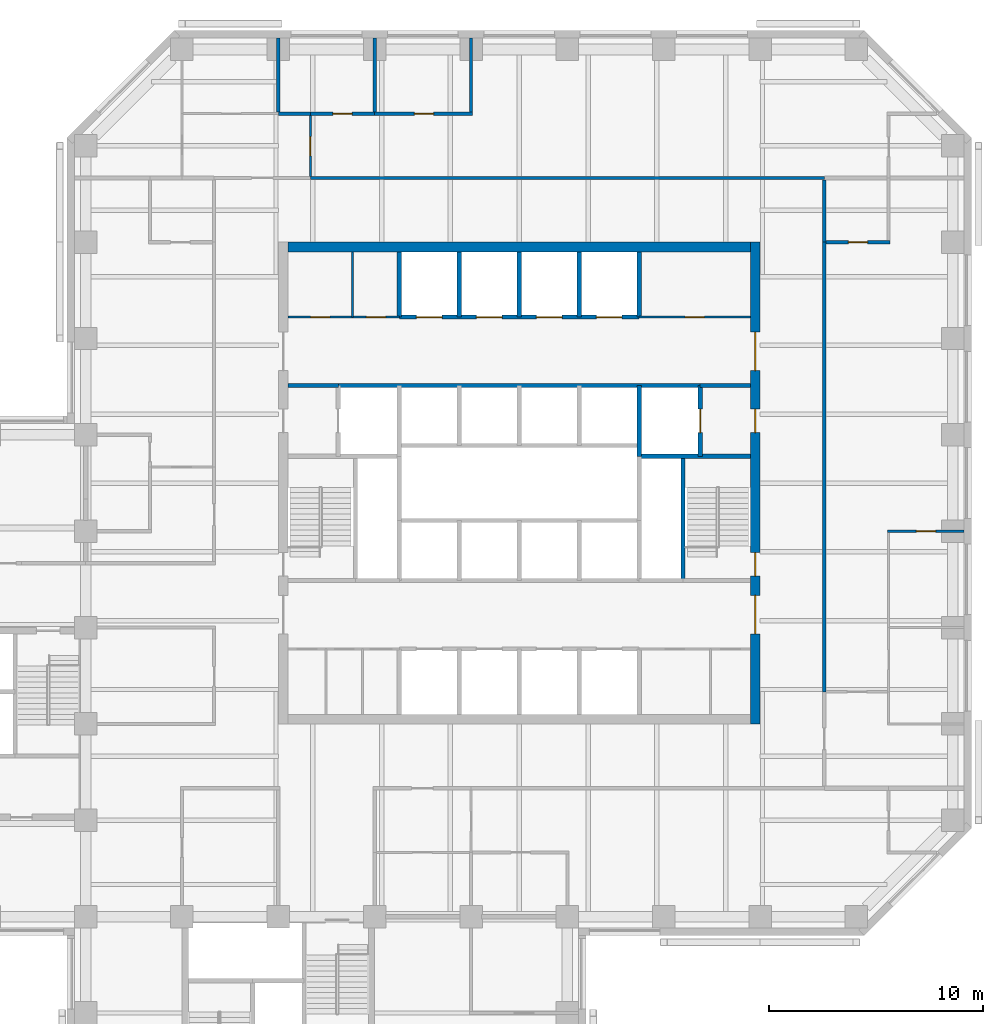
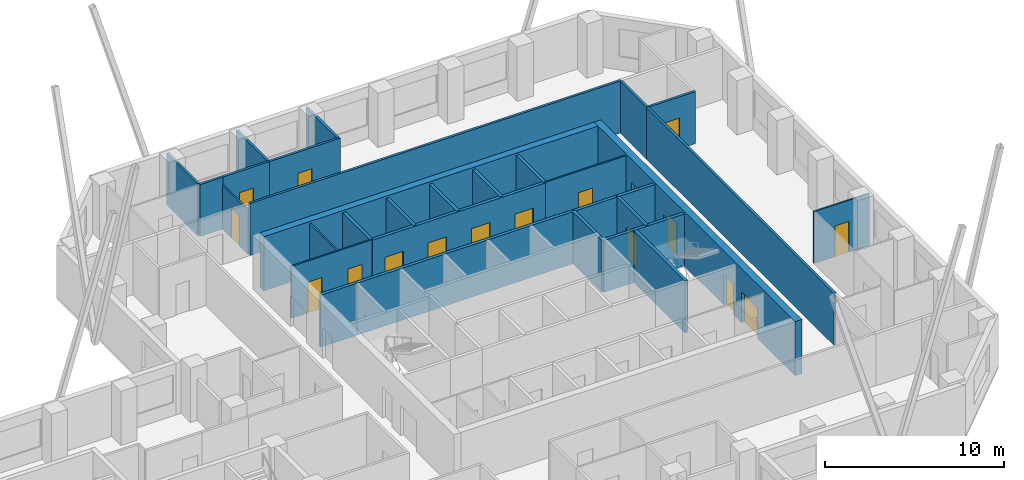
# One storey, part 8 of 11: 30 walls, 17 doors, 17 openings.
"""IFC4 building model written with IfcOpenShell, lengths in metres."""

from ifc_helpers import new_model, si_unit, direction, frame, frame_2d, origin, place, context, subcontext, project, spatial, rectangle, extrude, material, layer, layer_set, type_object, element, fill, save


model = new_model("IFC4")

# Units and contexts
model_context = context("Model", 3, precision=1e-05, world=origin(), true_north=direction((0.0, 1.0)))
body_context = subcontext(model_context, "Body", "Model", "MODEL_VIEW")
ifc_project = project(units=[si_unit("LENGTHUNIT", "METRE"), si_unit("AREAUNIT", "SQUARE_METRE"), si_unit("VOLUMEUNIT", "CUBIC_METRE"), si_unit("PLANEANGLEUNIT", "RADIAN"), si_unit("MASSUNIT", "GRAM", prefix="KILO")], contexts=[model_context])

# Site, building, storey
site_placement = place(None, origin())
site = spatial("IfcSite", under=ifc_project, at=site_placement, CompositionType="ELEMENT")
building_placement = place(site_placement, origin())
building = spatial("IfcBuilding", under=site, at=building_placement, Name="Quoin Convention Tower", CompositionType="ELEMENT")
storey_placement = place(building_placement, frame((0.0, 0.0, 82.60009765625)))
storey = spatial("IfcBuildingStorey", under=building, at=storey_placement, Name="L21", CompositionType="ELEMENT", Elevation=82.60009765625)

# Wall
ifc_material_1 = material(Name="Plasterboard")
ifc_layer_1 = layer(ifc_material_1, 0.012451171875, Name="Finish")
ifc_material_2 = material(Name="Steel stud framing", Category="steel")
ifc_layer_2 = layer(ifc_material_2, 0.125, Name="Structure")
ifc_layer_3 = layer(ifc_material_1, 0.012451171875, Name="Finish")
ifc_layer_set_1 = layer_set([ifc_layer_1, ifc_layer_2, ifc_layer_3], Name="Steel stud framing")
wall_type_1 = type_object("IfcWallType", Name="Acoustic partition 150", PredefinedType="PARTITIONING", material=ifc_layer_set_1)
wall_1_placement = place(storey_placement, frame((45.0, 78.0, 0.0), z_axis=(0.0, 0.0, 1.0), x_axis=(1.0, 0.0, 0.0)))
element("IfcWall", 1, at=wall_1_placement, inside=storey, type_object=wall_type_1, Name="pw-L21-059", PredefinedType="PARTITIONING", context=body_context, shape_type="SweptSolid", body=[
    extrude(rectangle(XDim=1.5, YDim=0.14990234375, at=frame_2d((0.75, 0.0))), origin(), (0.0, 0.0, 1.0), 3.5498046875),
])

# Wall, opening, door
wall_2_placement = place(storey_placement, frame((46.5, 78.0, 0.0), z_axis=(0.0, 0.0, 1.0), x_axis=(1.0, 0.0, 0.0)))
wall_2 = element("IfcWall", 2, at=wall_2_placement, inside=storey, type_object=wall_type_1, Name="pw-L21-060", PredefinedType="PARTITIONING", context=body_context, shape_type="SweptSolid", body=[
    extrude(rectangle(XDim=3.0, YDim=0.14990234375, at=frame_2d((1.5, 0.0))), origin(), (0.0, 0.0, 1.0), 3.5498046875),
])
opening_1_placement = place(wall_2_placement, frame((1.050048828125, 0.0, 0.0)))
opening_1 = element("IfcOpeningElement", 3, at=opening_1_placement, cuts=wall_2, Name="Opening DOL1-20", PredefinedType="OPENING", context=body_context, shape_type="SweptSolid", body=[
    extrude(rectangle(XDim=0.89990234375, YDim=2.10009765625, at=frame_2d((0.449951171875, 1.050048828125))), frame((0.0, 0.0849609375, 0.0), z_axis=(0.0, -1.0, 0.0), x_axis=(1.0, 0.0, 0.0)), (0.0, 0.0, 1.0), 0.169921875),
])
ifc_material_3 = material(Name="Steel door leaf", Category="steel")
door_type_1 = type_object("IfcDoorType", Name="Office door 900 x 2100", OperationType="SINGLE_SWING_RIGHT", PredefinedType="DOOR", material=ifc_material_3)
door_1_placement = place(opening_1_placement, frame((0.89990234375, 0.0, 0.0), z_axis=(0.0, 0.0, 1.0), x_axis=(-1.0, 0.0, 0.0)))
door_1 = element("IfcDoor", 4, at=door_1_placement, inside=storey, type_object=door_type_1, Name="dr-L21-38", OperationType="SINGLE_SWING_LEFT", OverallHeight=2.10009765625, OverallWidth=0.89990234375, PredefinedType="DOOR", context=body_context, shape_type="SweptSolid", body=[
    extrude(rectangle(XDim=0.89990234375, YDim=2.10009765625, at=frame_2d((0.449951171875, 1.050048828125))), frame((0.0, 0.02490234375, 0.0), z_axis=(0.0, -1.0, 0.0), x_axis=(1.0, 0.0, 0.0)), (0.0, 0.0, 1.0), 0.050048828125),
])
fill(opening_1, door_1)

wall_3_placement = place(storey_placement, frame((49.5, 78.0, 0.0), z_axis=(0.0, 0.0, 1.0), x_axis=(1.0, 0.0, 0.0)))
wall_3 = element("IfcWall", 5, at=wall_3_placement, inside=storey, type_object=wall_type_1, Name="pw-L21-061", PredefinedType="PARTITIONING", context=body_context, shape_type="SweptSolid", body=[
    extrude(rectangle(XDim=4.574951171875, YDim=0.14990234375, at=frame_2d((2.28759765625, 0.0))), origin(), (0.0, 0.0, 1.0), 3.5498046875),
])
opening_2_placement = place(wall_3_placement, frame((1.85009765625, 0.0, 0.0)))
opening_2 = element("IfcOpeningElement", 6, at=opening_2_placement, cuts=wall_3, Name="Opening DOL1-21", PredefinedType="OPENING", context=body_context, shape_type="SweptSolid", body=[
    extrude(rectangle(XDim=0.89990234375, YDim=2.10009765625, at=frame_2d((0.449951171875, 1.050048828125))), frame((0.0, 0.0849609375, 0.0), z_axis=(0.0, -1.0, 0.0), x_axis=(1.0, 0.0, 0.0)), (0.0, 0.0, 1.0), 0.169921875),
])
door_2_placement = place(opening_2_placement, frame((0.89990234375, 0.0, 0.0), z_axis=(0.0, 0.0, 1.0), x_axis=(-1.0, 0.0, 0.0)))
door_2 = element("IfcDoor", 7, at=door_2_placement, inside=storey, type_object=door_type_1, Name="dr-L21-39", OperationType="SINGLE_SWING_LEFT", OverallHeight=2.10009765625, OverallWidth=0.89990234375, PredefinedType="DOOR", context=body_context, shape_type="SweptSolid", body=[
    extrude(rectangle(XDim=0.89990234375, YDim=2.10009765625, at=frame_2d((0.449951171875, 1.050048828125))), frame((0.0, 0.02490234375, 0.0), z_axis=(0.0, -1.0, 0.0), x_axis=(1.0, 0.0, 0.0)), (0.0, 0.0, 1.0), 0.050048828125),
])
fill(opening_2, door_2)

# Walls
for number, where, z_axis, x_axis, name in (
    (8, (45.0, 78.074951171875, 0.0), (0.0, 0.0, 1.0), (0.0, 1.0, 0.0), "pw-L21-117"),
    (9, (49.5, 78.074951171875, 0.0), (0.0, 0.0, 1.0), (0.0, 1.0, 0.0), "pw-L21-118"),
    (10, (54.0, 78.074951171875, 0.0), (0.0, 0.0, 1.0), (0.0, 1.0, 0.0), "pw-L21-119"),
):
    element("IfcWall", number, at=place(storey_placement, frame(where, z_axis=z_axis, x_axis=x_axis)), inside=storey, type_object=wall_type_1, Name=name, PredefinedType="PARTITIONING", context=body_context, shape_type="SweptSolid", body=[
        extrude(rectangle(XDim=3.449951171875, YDim=0.14990234375, at=frame_2d((1.72509765625, 0.0))), origin(), (0.0, 0.0, 1.0), 3.5498046875),
    ])

# Wall, openings, doors
ifc_layer_4 = layer(ifc_material_1, 0.012451171875, Name="Finish")
ifc_layer_5 = layer(ifc_material_2, 0.074951171875, Name="Structure")
ifc_layer_6 = layer(ifc_material_1, 0.012451171875, Name="Finish")
ifc_layer_set_2 = layer_set([ifc_layer_4, ifc_layer_5, ifc_layer_6], Name="Steel stud framing")
wall_type_2 = type_object("IfcWallType", Name="Core partition wall", PredefinedType="PARTITIONING", material=ifc_layer_set_2)
wall_4_placement = place(storey_placement, frame((45.449951171875, 68.5, 0.0), z_axis=(0.0, 0.0, 1.0), x_axis=(1.0, 0.0, 0.0)))
wall_4 = element("IfcWall", 11, at=wall_4_placement, inside=storey, type_object=wall_type_2, Name="cr-C1-L21-h19000_450", PredefinedType="PARTITIONING", context=body_context, shape_type="SweptSolid", body=[
    extrude(rectangle(XDim=5.199951171875, YDim=0.10009765625, at=frame_2d((2.60009765625, 0.0))), origin(), (0.0, 0.0, 1.0), 3.5498046875),
])
opening_3_placement = place(wall_4_placement, frame((1.05810546875, 0.0, 0.0)))
opening_3 = element("IfcOpeningElement", 12, at=opening_3_placement, cuts=wall_4, Name="Opening DCV1-13", PredefinedType="OPENING", context=body_context, shape_type="SweptSolid", body=[
    extrude(rectangle(XDim=0.89990234375, YDim=2.10009765625, at=frame_2d((0.449951171875, 1.050048828125))), frame((0.0, 0.06005859375, 0.0), z_axis=(0.0, -1.0, 0.0), x_axis=(1.0, 0.0, 0.0)), (0.0, 0.0, 1.0), 0.1201171875),
])
opening_4_placement = place(wall_4_placement, frame((3.657958984375, 0.0, 0.0)))
opening_4 = element("IfcOpeningElement", 13, at=opening_4_placement, cuts=wall_4, Name="Opening DCV1-14", PredefinedType="OPENING", context=body_context, shape_type="SweptSolid", body=[
    extrude(rectangle(XDim=0.89990234375, YDim=2.10009765625, at=frame_2d((0.449951171875, 1.050048828125))), frame((0.0, 0.06005859375, 0.0), z_axis=(0.0, -1.0, 0.0), x_axis=(1.0, 0.0, 0.0)), (0.0, 0.0, 1.0), 0.1201171875),
])
door_type_2 = type_object("IfcDoorType", Name="Core room door 900 x 2100", OperationType="SINGLE_SWING_LEFT", PredefinedType="DOOR", material=ifc_material_3)
door_3_placement = place(opening_3_placement, origin())
door_3 = element("IfcDoor", 14, at=door_3_placement, inside=storey, type_object=door_type_2, Name="cd-C1-L21-CNW0-lobB-CD2108", OperationType="SINGLE_SWING_RIGHT", OverallHeight=2.10009765625, OverallWidth=0.89990234375, PredefinedType="DOOR", context=body_context, shape_type="SweptSolid", body=[
    extrude(rectangle(XDim=0.89990234375, YDim=2.10009765625, at=frame_2d((0.449951171875, 1.050048828125))), frame((0.0, 0.02490234375, 0.0), z_axis=(0.0, -1.0, 0.0), x_axis=(1.0, 0.0, 0.0)), (0.0, 0.0, 1.0), 0.050048828125),
])
fill(opening_3, door_3)
door_4_placement = place(opening_4_placement, origin())
door_4 = element("IfcDoor", 15, at=door_4_placement, inside=storey, type_object=door_type_2, Name="cd-C1-L21-CNW1-lobB-CD2109", OperationType="SINGLE_SWING_RIGHT", OverallHeight=2.10009765625, OverallWidth=0.89990234375, PredefinedType="DOOR", context=body_context, shape_type="SweptSolid", body=[
    extrude(rectangle(XDim=0.89990234375, YDim=2.10009765625, at=frame_2d((0.449951171875, 1.050048828125))), frame((0.0, 0.02490234375, 0.0), z_axis=(0.0, -1.0, 0.0), x_axis=(1.0, 0.0, 0.0)), (0.0, 0.0, 1.0), 0.050048828125),
])
fill(opening_4, door_4)

# Wall, opening, door
wall_5_placement = place(storey_placement, frame((61.85009765625, 68.5, 0.0), z_axis=(0.0, 0.0, 1.0), x_axis=(1.0, 0.0, 0.0)))
wall_5 = element("IfcWall", 16, at=wall_5_placement, inside=storey, type_object=wall_type_2, Name="cr-C1-L21-h19000_16850", PredefinedType="PARTITIONING", context=body_context, shape_type="SweptSolid", body=[
    extrude(rectangle(XDim=5.199951171875, YDim=0.10009765625, at=frame_2d((2.60009765625, 0.0))), origin(), (0.0, 0.0, 1.0), 3.5498046875),
])
opening_5_placement = place(wall_5_placement, frame((2.14990234375, 0.0, 0.0)))
opening_5 = element("IfcOpeningElement", 17, at=opening_5_placement, cuts=wall_5, Name="Opening DCV1-03", PredefinedType="OPENING", context=body_context, shape_type="SweptSolid", body=[
    extrude(rectangle(XDim=0.89990234375, YDim=2.10009765625, at=frame_2d((0.449951171875, 1.050048828125))), frame((0.0, 0.06005859375, 0.0), z_axis=(0.0, -1.0, 0.0), x_axis=(1.0, 0.0, 0.0)), (0.0, 0.0, 1.0), 0.1201171875),
])
door_5_placement = place(opening_5_placement, origin())
door_5 = element("IfcDoor", 18, at=door_5_placement, inside=storey, type_object=door_type_2, Name="cd-C1-L21-CNE0-lobB-CD2107", OperationType="SINGLE_SWING_LEFT", OverallHeight=2.10009765625, OverallWidth=0.89990234375, PredefinedType="DOOR", context=body_context, shape_type="SweptSolid", body=[
    extrude(rectangle(XDim=0.89990234375, YDim=2.10009765625, at=frame_2d((0.449951171875, 1.050048828125))), frame((0.0, 0.02490234375, 0.0), z_axis=(0.0, -1.0, 0.0), x_axis=(1.0, 0.0, 0.0)), (0.0, 0.0, 1.0), 0.050048828125),
])
fill(opening_5, door_5)

# Walls
wall_6_placement = place(storey_placement, frame((48.466064453125, 68.5, 0.0), z_axis=(0.0, 0.0, 1.0), x_axis=(0.0, 1.0, 0.0)))
element("IfcWall", 19, at=wall_6_placement, inside=storey, type_object=wall_type_2, Name="cr-C1-L21-v3466_19000", PredefinedType="PARTITIONING", context=body_context, shape_type="SweptSolid", body=[
    extrude(rectangle(XDim=3.050048828125, YDim=0.10009765625, at=frame_2d((1.52490234375, 0.0))), origin(), (0.0, 0.0, 1.0), 3.5498046875),
])
ifc_material_4 = material(Name="Concrete C50", Category="concrete")
ifc_layer_7 = layer(ifc_material_4, 0.199951171875)
ifc_layer_set_3 = layer_set([ifc_layer_7], Name="Concrete C50")
wall_type_3 = type_object("IfcWallType", Name="Core shaft wall", PredefinedType="SOLIDWALL", material=ifc_layer_set_3)
wall_7_placement = place(storey_placement, frame((61.85009765625, 62.0, 0.0), z_axis=(0.0, 0.0, 1.0), x_axis=(1.0, 0.0, 0.0)))
element("IfcWall", 20, at=wall_7_placement, inside=storey, type_object=wall_type_3, Name="cr-C1-L21-h12500_16850", PredefinedType="SOLIDWALL", context=body_context, shape_type="SweptSolid", body=[
    extrude(rectangle(XDim=5.199951171875, YDim=0.199951171875, at=frame_2d((2.60009765625, 0.0))), origin(), (0.0, 0.0, 1.0), 3.5498046875),
])
for number, where, z_axis, x_axis, name in (
    (21, (45.449951171875, 65.300048828125, 0.0), (0.0, 0.0, 1.0), (1.0, 0.0, 0.0), "cr-C1-L21-h15800_450"),
    (22, (64.699951171875, 65.300048828125, 0.0), (0.0, 0.0, 1.0), (1.0, 0.0, 0.0), "cr-C1-L21-h15800_19700"),
):
    element("IfcWall", number, at=place(storey_placement, frame(where, z_axis=z_axis, x_axis=x_axis)), inside=storey, type_object=wall_type_3, Name=name, PredefinedType="SOLIDWALL", context=body_context, shape_type="SweptSolid", body=[
        extrude(rectangle(XDim=2.35009765625, YDim=0.199951171875, at=frame_2d((1.175048828125, 0.0))), origin(), (0.0, 0.0, 1.0), 3.5498046875),
    ])
wall_8_placement = place(storey_placement, frame((47.800048828125, 65.300048828125, 0.0), z_axis=(0.0, 0.0, 1.0), x_axis=(1.0, 0.0, 0.0)))
element("IfcWall", 23, at=wall_8_placement, inside=storey, type_object=wall_type_3, Name="cr-C1-L21-h15800_2800", PredefinedType="SOLIDWALL", context=body_context, shape_type="SweptSolid", body=[
    extrude(rectangle(XDim=16.89990234375, YDim=0.199951171875, at=frame_2d((8.449951171875, 0.0))), origin(), (0.0, 0.0, 1.0), 3.5498046875),
])

# Wall, openings, doors
wall_9_placement = place(storey_placement, frame((50.64990234375, 68.5, 0.0), z_axis=(0.0, 0.0, 1.0), x_axis=(1.0, 0.0, 0.0)))
wall_9 = element("IfcWall", 24, at=wall_9_placement, inside=storey, type_object=wall_type_3, Name="cr-C1-L21-h19000_5650", PredefinedType="SOLIDWALL", context=body_context, shape_type="SweptSolid", body=[
    extrude(rectangle(XDim=11.2001953125, YDim=0.199951171875, at=frame_2d((5.60009765625, 0.0))), origin(), (0.0, 0.0, 1.0), 3.5498046875),
])
opening_6_placement = place(wall_9_placement, frame((0.800048828125, 0.0, 0.0)))
opening_6 = element("IfcOpeningElement", 25, at=opening_6_placement, cuts=wall_9, Name="Opening LDL5", PredefinedType="OPENING", context=body_context, shape_type="SweptSolid", body=[
    extrude(rectangle(XDim=1.199951171875, YDim=2.10009765625, at=frame_2d((0.60009765625, 1.050048828125))), frame((0.0, 0.10986328125, 0.0), z_axis=(0.0, -1.0, 0.0), x_axis=(1.0, 0.0, 0.0)), (0.0, 0.0, 1.0), 0.219970703125),
])
opening_7_placement = place(wall_9_placement, frame((3.60009765625, 0.0, 0.0)))
opening_7 = element("IfcOpeningElement", 26, at=opening_7_placement, cuts=wall_9, Name="Opening LDL6", PredefinedType="OPENING", context=body_context, shape_type="SweptSolid", body=[
    extrude(rectangle(XDim=1.199951171875, YDim=2.10009765625, at=frame_2d((0.60009765625, 1.050048828125))), frame((0.0, 0.10986328125, 0.0), z_axis=(0.0, -1.0, 0.0), x_axis=(1.0, 0.0, 0.0)), (0.0, 0.0, 1.0), 0.219970703125),
])
opening_8_placement = place(wall_9_placement, frame((6.39990234375, 0.0, 0.0)))
opening_8 = element("IfcOpeningElement", 27, at=opening_8_placement, cuts=wall_9, Name="Opening LDL7", PredefinedType="OPENING", context=body_context, shape_type="SweptSolid", body=[
    extrude(rectangle(XDim=1.199951171875, YDim=2.10009765625, at=frame_2d((0.60009765625, 1.050048828125))), frame((0.0, 0.10986328125, 0.0), z_axis=(0.0, -1.0, 0.0), x_axis=(1.0, 0.0, 0.0)), (0.0, 0.0, 1.0), 0.219970703125),
])
opening_9_placement = place(wall_9_placement, frame((9.199951171875, 0.0, 0.0)))
opening_9 = element("IfcOpeningElement", 28, at=opening_9_placement, cuts=wall_9, Name="Opening LDL8", PredefinedType="OPENING", context=body_context, shape_type="SweptSolid", body=[
    extrude(rectangle(XDim=1.199951171875, YDim=2.10009765625, at=frame_2d((0.60009765625, 1.050048828125))), frame((0.0, 0.10986328125, 0.0), z_axis=(0.0, -1.0, 0.0), x_axis=(1.0, 0.0, 0.0)), (0.0, 0.0, 1.0), 0.219970703125),
])
door_type_3 = type_object("IfcDoorType", Name="Lift landing door 1200 x 2100", OperationType="DOUBLE_DOOR_SLIDING", PredefinedType="DOOR", material=ifc_material_3)
door_6_placement = place(opening_6_placement, origin())
door_6 = element("IfcDoor", 29, at=door_6_placement, inside=storey, type_object=door_type_3, Name="cd-C1-L21-R40-lobB-LDL5", OperationType="DOUBLE_DOOR_SLIDING", OverallHeight=2.10009765625, OverallWidth=1.199951171875, PredefinedType="DOOR", context=body_context, shape_type="SweptSolid", body=[
    extrude(rectangle(XDim=1.199951171875, YDim=2.10009765625, at=frame_2d((0.60009765625, 1.050048828125))), frame((0.0, 0.02490234375, 0.0), z_axis=(0.0, -1.0, 0.0), x_axis=(1.0, 0.0, 0.0)), (0.0, 0.0, 1.0), 0.050048828125),
])
fill(opening_6, door_6)
door_7_placement = place(opening_7_placement, origin())
door_7 = element("IfcDoor", 30, at=door_7_placement, inside=storey, type_object=door_type_3, Name="cd-C1-L21-R41-lobB-LDL6", OperationType="DOUBLE_DOOR_SLIDING", OverallHeight=2.10009765625, OverallWidth=1.199951171875, PredefinedType="DOOR", context=body_context, shape_type="SweptSolid", body=[
    extrude(rectangle(XDim=1.199951171875, YDim=2.10009765625, at=frame_2d((0.60009765625, 1.050048828125))), frame((0.0, 0.02490234375, 0.0), z_axis=(0.0, -1.0, 0.0), x_axis=(1.0, 0.0, 0.0)), (0.0, 0.0, 1.0), 0.050048828125),
])
fill(opening_7, door_7)
door_8_placement = place(opening_8_placement, origin())
door_8 = element("IfcDoor", 31, at=door_8_placement, inside=storey, type_object=door_type_3, Name="cd-C1-L21-R42-lobB-LDL7", OperationType="DOUBLE_DOOR_SLIDING", OverallHeight=2.10009765625, OverallWidth=1.199951171875, PredefinedType="DOOR", context=body_context, shape_type="SweptSolid", body=[
    extrude(rectangle(XDim=1.199951171875, YDim=2.10009765625, at=frame_2d((0.60009765625, 1.050048828125))), frame((0.0, 0.02490234375, 0.0), z_axis=(0.0, -1.0, 0.0), x_axis=(1.0, 0.0, 0.0)), (0.0, 0.0, 1.0), 0.050048828125),
])
fill(opening_8, door_8)
door_9_placement = place(opening_9_placement, origin())
door_9 = element("IfcDoor", 32, at=door_9_placement, inside=storey, type_object=door_type_3, Name="cd-C1-L21-R43-lobB-LDL8", OperationType="DOUBLE_DOOR_SLIDING", OverallHeight=2.10009765625, OverallWidth=1.199951171875, PredefinedType="DOOR", context=body_context, shape_type="SweptSolid", body=[
    extrude(rectangle(XDim=1.199951171875, YDim=2.10009765625, at=frame_2d((0.60009765625, 1.050048828125))), frame((0.0, 0.02490234375, 0.0), z_axis=(0.0, -1.0, 0.0), x_axis=(1.0, 0.0, 0.0)), (0.0, 0.0, 1.0), 0.050048828125),
])
fill(opening_9, door_9)

# Walls
for number, where, z_axis, x_axis, name in (
    (33, (50.64990234375, 68.5, 0.0), (0.0, 0.0, 1.0), (0.0, 1.0, 0.0), "cr-C1-L21-v5650_19000"),
    (34, (53.449951171875, 68.5, 0.0), (0.0, 0.0, 1.0), (0.0, 1.0, 0.0), "cr-C1-L21-v8450_19000"),
    (35, (56.25, 68.5, 0.0), (0.0, 0.0, 1.0), (0.0, 1.0, 0.0), "cr-C1-L21-v11250_19000"),
    (36, (59.050048828125, 68.5, 0.0), (0.0, 0.0, 1.0), (0.0, 1.0, 0.0), "cr-C1-L21-v14050_19000"),
):
    element("IfcWall", number, at=place(storey_placement, frame(where, z_axis=z_axis, x_axis=x_axis)), inside=storey, type_object=wall_type_3, Name=name, PredefinedType="SOLIDWALL", context=body_context, shape_type="SweptSolid", body=[
        extrude(rectangle(XDim=3.050048828125, YDim=0.199951171875, at=frame_2d((1.52490234375, 0.0))), origin(), (0.0, 0.0, 1.0), 3.5498046875),
    ])
wall_10_placement = place(storey_placement, frame((61.85009765625, 62.0, 0.0), z_axis=(0.0, 0.0, 1.0), x_axis=(0.0, 1.0, 0.0)))
element("IfcWall", 37, at=wall_10_placement, inside=storey, type_object=wall_type_3, Name="cr-C1-L21-v16850_12500", PredefinedType="SOLIDWALL", context=body_context, shape_type="SweptSolid", body=[
    extrude(rectangle(XDim=3.300048828125, YDim=0.199951171875, at=frame_2d((1.64990234375, 0.0))), origin(), (0.0, 0.0, 1.0), 3.5498046875),
])
wall_11_placement = place(storey_placement, frame((61.85009765625, 68.5, 0.0), z_axis=(0.0, 0.0, 1.0), x_axis=(0.0, 1.0, 0.0)))
element("IfcWall", 38, at=wall_11_placement, inside=storey, type_object=wall_type_3, Name="cr-C1-L21-v16850_19000", PredefinedType="SOLIDWALL", context=body_context, shape_type="SweptSolid", body=[
    extrude(rectangle(XDim=3.050048828125, YDim=0.199951171875, at=frame_2d((1.52490234375, 0.0))), origin(), (0.0, 0.0, 1.0), 3.5498046875),
])
wall_12_placement = place(storey_placement, frame((63.89990234375, 56.199951171875, 0.0), z_axis=(0.0, 0.0, 1.0), x_axis=(0.0, 1.0, 0.0)))
element("IfcWall", 39, at=wall_12_placement, inside=storey, type_object=wall_type_3, Name="cr-C1-L21-v18900_6700", PredefinedType="SOLIDWALL", context=body_context, shape_type="SweptSolid", body=[
    extrude(rectangle(XDim=5.800048828125, YDim=0.199951171875, at=frame_2d((2.89990234375, 0.0))), origin(), (0.0, 0.0, 1.0), 3.5498046875),
])

# Wall, opening, door
wall_13_placement = place(storey_placement, frame((64.699951171875, 62.0, 0.0), z_axis=(0.0, 0.0, 1.0), x_axis=(0.0, 1.0, 0.0)))
wall_13 = element("IfcWall", 40, at=wall_13_placement, inside=storey, type_object=wall_type_3, Name="cr-C1-L21-v19700_12500", PredefinedType="SOLIDWALL", context=body_context, shape_type="SweptSolid", body=[
    extrude(rectangle(XDim=3.300048828125, YDim=0.199951171875, at=frame_2d((1.64990234375, 0.0))), origin(), (0.0, 0.0, 1.0), 3.5498046875),
])
opening_10_placement = place(wall_13_placement, frame((1.10009765625, 0.0, 0.0)))
opening_10 = element("IfcOpeningElement", 41, at=opening_10_placement, cuts=wall_13, Name="Opening LDFL2", PredefinedType="OPENING", context=body_context, shape_type="SweptSolid", body=[
    extrude(rectangle(XDim=1.10009765625, YDim=2.10009765625, at=frame_2d((0.550048828125, 1.050048828125))), frame((0.0, 0.10986328125, 0.0), z_axis=(0.0, -1.0, 0.0), x_axis=(1.0, 0.0, 0.0)), (0.0, 0.0, 1.0), 0.219970703125),
])
door_type_4 = type_object("IfcDoorType", Name="Lift landing door 1100 x 2100", OperationType="DOUBLE_DOOR_SLIDING", PredefinedType="DOOR", material=ifc_material_3)
door_10_placement = place(opening_10_placement, origin())
door_10 = element("IfcDoor", 42, at=door_10_placement, inside=storey, type_object=door_type_4, Name="cd-C1-L21-FLE-FFE-LDFL2", OperationType="DOUBLE_DOOR_SLIDING", OverallHeight=2.10009765625, OverallWidth=1.10009765625, PredefinedType="DOOR", context=body_context, shape_type="SweptSolid", body=[
    extrude(rectangle(XDim=1.10009765625, YDim=2.10009765625, at=frame_2d((0.550048828125, 1.050048828125))), frame((0.0, 0.02490234375, 0.0), z_axis=(0.0, -1.0, 0.0), x_axis=(1.0, 0.0, 0.0)), (0.0, 0.0, 1.0), 0.050048828125),
])
fill(opening_10, door_10)

# Walls
ifc_layer_8 = layer(ifc_material_1, 0.012451171875, Name="Finish")
ifc_layer_9 = layer(ifc_material_2, 0.125, Name="Structure")
ifc_layer_10 = layer(ifc_material_1, 0.012451171875, Name="Finish")
ifc_layer_set_4 = layer_set([ifc_layer_8, ifc_layer_9, ifc_layer_10], Name="Steel stud framing")
wall_type_4 = type_object("IfcWallType", Name="Corridor wall 150", PredefinedType="PARTITIONING", material=ifc_layer_set_4)
wall_14_placement = place(storey_placement, frame((46.5, 75.0, 0.0), z_axis=(0.0, 0.0, 1.0), x_axis=(1.0, 0.0, 0.0)))
element("IfcWall", 43, at=wall_14_placement, inside=storey, type_object=wall_type_4, Name="pw-L21-055", PredefinedType="PARTITIONING", context=body_context, shape_type="SweptSolid", body=[
    extrude(rectangle(XDim=24.0, YDim=0.14990234375, at=frame_2d((12.0, 0.0))), origin(), (0.0, 0.0, 1.0), 3.5498046875),
])
wall_15_placement = place(storey_placement, frame((70.5, 51.0, 0.0), z_axis=(0.0, 0.0, 1.0), x_axis=(0.0, 1.0, 0.0)))
element("IfcWall", 44, at=wall_15_placement, inside=storey, type_object=wall_type_4, Name="pw-L21-092", PredefinedType="PARTITIONING", context=body_context, shape_type="SweptSolid", body=[
    extrude(rectangle(XDim=21.0, YDim=0.14990234375, at=frame_2d((10.5, 0.0))), origin(), (0.0, 0.0, 1.0), 3.5498046875),
])
wall_16_placement = place(storey_placement, frame((70.5, 72.0, 0.0), z_axis=(0.0, 0.0, 1.0), x_axis=(0.0, 1.0, 0.0)))
element("IfcWall", 45, at=wall_16_placement, inside=storey, type_object=wall_type_4, Name="pw-L21-110", PredefinedType="PARTITIONING", context=body_context, shape_type="SweptSolid", body=[
    extrude(rectangle(XDim=2.89990234375, YDim=0.14990234375, at=frame_2d((1.449951171875, 0.0))), origin(), (0.0, 0.0, 1.0), 3.5498046875),
])
ifc_material_5 = material(Name="Concrete C65", Category="concrete")
ifc_layer_11 = layer(ifc_material_5, 0.449951171875)
ifc_layer_set_5 = layer_set([ifc_layer_11], Name="Concrete C65")
wall_type_5 = type_object("IfcWallType", Name="RC CORE WALL 450 C65", PredefinedType="SHEAR", material=ifc_layer_set_5)
wall_17_placement = place(storey_placement, frame((45.449951171875, 71.77490234375, 0.0), z_axis=(0.0, 0.0, 1.0), x_axis=(1.0, 0.0, 0.0)))
element("IfcWall", 46, at=wall_17_placement, inside=storey, type_object=wall_type_5, Name="cwl-C1-L21-N", PredefinedType="SHEAR", context=body_context, shape_type="SweptSolid", body=[
    extrude(rectangle(XDim=21.60009765625, YDim=0.449951171875, at=frame_2d((10.800048828125, 0.0))), origin(), (0.0, 0.0, 1.0), 3.699951171875),
])

# Wall, openings, doors
wall_18_placement = place(storey_placement, frame((67.27490234375, 49.5, 0.0), z_axis=(0.0, 0.0, 1.0), x_axis=(0.0, 1.0, 0.0)))
wall_18 = element("IfcWall", 47, at=wall_18_placement, inside=storey, type_object=wall_type_5, Name="cwl-C1-L21-E", PredefinedType="SHEAR", context=body_context, shape_type="SweptSolid", body=[
    extrude(rectangle(XDim=22.5, YDim=0.449951171875, at=frame_2d((11.25, 0.0))), origin(), (0.0, 0.0, 1.0), 3.699951171875),
])
opening_11_placement = place(wall_18_placement, frame((4.199951171875, 0.0, 0.0)))
opening_11 = element("IfcOpeningElement", 48, at=opening_11_placement, cuts=wall_18, Name="Opening DCV1-47", PredefinedType="OPENING", context=body_context, shape_type="SweptSolid", body=[
    extrude(rectangle(XDim=1.800048828125, YDim=2.10009765625, at=frame_2d((0.89990234375, 1.050048828125))), frame((0.0, 0.23486328125, 0.0), z_axis=(0.0, -1.0, 0.0), x_axis=(1.0, 0.0, 0.0)), (0.0, 0.0, 1.0), 0.469970703125),
])
opening_12_placement = place(wall_18_placement, frame((6.89990234375, 0.0, 0.0)))
opening_12 = element("IfcOpeningElement", 49, at=opening_12_placement, cuts=wall_18, Name="Opening SD2", PredefinedType="OPENING", context=body_context, shape_type="SweptSolid", body=[
    extrude(rectangle(XDim=1.10009765625, YDim=2.10009765625, at=frame_2d((0.550048828125, 1.050048828125))), frame((0.0, 0.23486328125, 0.0), z_axis=(0.0, -1.0, 0.0), x_axis=(1.0, 0.0, 0.0)), (0.0, 0.0, 1.0), 0.469970703125),
])
opening_13_placement = place(wall_18_placement, frame((13.60009765625, 0.0, 0.0)))
opening_13 = element("IfcOpeningElement", 50, at=opening_13_placement, cuts=wall_18, Name="Opening DCV1-46", PredefinedType="OPENING", context=body_context, shape_type="SweptSolid", body=[
    extrude(rectangle(XDim=1.10009765625, YDim=2.10009765625, at=frame_2d((0.550048828125, 1.050048828125))), frame((0.0, 0.23486328125, 0.0), z_axis=(0.0, -1.0, 0.0), x_axis=(1.0, 0.0, 0.0)), (0.0, 0.0, 1.0), 0.469970703125),
])
opening_14_placement = place(wall_18_placement, frame((16.5, 0.0, 0.0)))
opening_14 = element("IfcOpeningElement", 51, at=opening_14_placement, cuts=wall_18, Name="Opening DCV1-47", PredefinedType="OPENING", context=body_context, shape_type="SweptSolid", body=[
    extrude(rectangle(XDim=1.800048828125, YDim=2.10009765625, at=frame_2d((0.89990234375, 1.050048828125))), frame((0.0, 0.23486328125, 0.0), z_axis=(0.0, -1.0, 0.0), x_axis=(1.0, 0.0, 0.0)), (0.0, 0.0, 1.0), 0.469970703125),
])
door_type_5 = type_object("IfcDoorType", Name="Fire-fighting lobby door 1100 x 2100", OperationType="SINGLE_SWING_LEFT", PredefinedType="DOOR", material=ifc_material_3)
door_11_placement = place(opening_13_placement, origin())
door_11 = element("IfcDoor", 52, at=door_11_placement, inside=storey, type_object=door_type_5, Name="cd-C1-L21-FFE-E", OperationType="SINGLE_SWING_RIGHT", OverallHeight=2.10009765625, OverallWidth=1.10009765625, PredefinedType="DOOR", context=body_context, shape_type="SweptSolid", body=[
    extrude(rectangle(XDim=1.10009765625, YDim=2.10009765625, at=frame_2d((0.550048828125, 1.050048828125))), frame((0.0, 0.02490234375, 0.0), z_axis=(0.0, -1.0, 0.0), x_axis=(1.0, 0.0, 0.0)), (0.0, 0.0, 1.0), 0.050048828125),
])
fill(opening_13, door_11)
door_type_6 = type_object("IfcDoorType", Name="Lift lobby door 1800 x 2100", OperationType="SINGLE_SWING_LEFT", PredefinedType="DOOR", material=ifc_material_3)
door_12_placement = place(opening_11_placement, origin())
door_12 = element("IfcDoor", 53, at=door_12_placement, inside=storey, type_object=door_type_6, Name="cd-C1-L21-lobA-E", OperationType="SINGLE_SWING_RIGHT", OverallHeight=2.10009765625, OverallWidth=1.800048828125, PredefinedType="DOOR", context=body_context, shape_type="SweptSolid", body=[
    extrude(rectangle(XDim=1.800048828125, YDim=2.10009765625, at=frame_2d((0.89990234375, 1.050048828125))), frame((0.0, 0.02490234375, 0.0), z_axis=(0.0, -1.0, 0.0), x_axis=(1.0, 0.0, 0.0)), (0.0, 0.0, 1.0), 0.050048828125),
])
fill(opening_11, door_12)
door_13_placement = place(opening_14_placement, origin())
door_13 = element("IfcDoor", 54, at=door_13_placement, inside=storey, type_object=door_type_6, Name="cd-C1-L21-lobB-E", OperationType="SINGLE_SWING_RIGHT", OverallHeight=2.10009765625, OverallWidth=1.800048828125, PredefinedType="DOOR", context=body_context, shape_type="SweptSolid", body=[
    extrude(rectangle(XDim=1.800048828125, YDim=2.10009765625, at=frame_2d((0.89990234375, 1.050048828125))), frame((0.0, 0.02490234375, 0.0), z_axis=(0.0, -1.0, 0.0), x_axis=(1.0, 0.0, 0.0)), (0.0, 0.0, 1.0), 0.050048828125),
])
fill(opening_14, door_13)
door_type_7 = type_object("IfcDoorType", Name="Stair door 1100 x 2100", OperationType="SINGLE_SWING_RIGHT", PredefinedType="DOOR", material=ifc_material_3)
door_14_placement = place(opening_12_placement, origin())
door_14 = element("IfcDoor", 55, at=door_14_placement, inside=storey, type_object=door_type_7, Name="cd-C1-L21-STE-E", OperationType="SINGLE_SWING_LEFT", OverallHeight=2.10009765625, OverallWidth=1.10009765625, PredefinedType="DOOR", context=body_context, shape_type="SweptSolid", body=[
    extrude(rectangle(XDim=1.10009765625, YDim=2.10009765625, at=frame_2d((0.550048828125, 1.050048828125))), frame((0.0, 0.02490234375, 0.0), z_axis=(0.0, -1.0, 0.0), x_axis=(1.0, 0.0, 0.0)), (0.0, 0.0, 1.0), 0.050048828125),
])
fill(opening_12, door_14)

# Wall, opening, door
ifc_layer_12 = layer(ifc_material_1, 0.012451171875, Name="Finish")
ifc_layer_13 = layer(ifc_material_2, 0.074951171875, Name="Structure")
ifc_layer_14 = layer(ifc_material_1, 0.012451171875, Name="Finish")
ifc_layer_set_6 = layer_set([ifc_layer_12, ifc_layer_13, ifc_layer_14], Name="Steel stud framing")
wall_type_6 = type_object("IfcWallType", Name="Stud partition 100", PredefinedType="PARTITIONING", material=ifc_layer_set_6)
wall_19_placement = place(storey_placement, frame((73.449951171875, 58.5, 0.0), z_axis=(0.0, 0.0, 1.0), x_axis=(1.0, 0.0, 0.0)))
wall_19 = element("IfcWall", 56, at=wall_19_placement, inside=storey, type_object=wall_type_6, Name="pw-L21-042", PredefinedType="PARTITIONING", context=body_context, shape_type="SweptSolid", body=[
    extrude(rectangle(XDim=3.574951171875, YDim=0.10009765625, at=frame_2d((1.78759765625, 0.0))), origin(), (0.0, 0.0, 1.0), 3.5498046875),
])
opening_15_placement = place(wall_19_placement, frame((1.35009765625, 0.0, 0.0)))
opening_15 = element("IfcOpeningElement", 57, at=opening_15_placement, cuts=wall_19, Name="Opening DOL1-14", PredefinedType="OPENING", context=body_context, shape_type="SweptSolid", body=[
    extrude(rectangle(XDim=0.89990234375, YDim=2.10009765625, at=frame_2d((0.449951171875, 1.050048828125))), frame((0.0, 0.06005859375, 0.0), z_axis=(0.0, -1.0, 0.0), x_axis=(1.0, 0.0, 0.0)), (0.0, 0.0, 1.0), 0.1201171875),
])
door_15_placement = place(opening_15_placement, origin())
door_15 = element("IfcDoor", 58, at=door_15_placement, inside=storey, type_object=door_type_1, Name="dr-L21-31", OperationType="SINGLE_SWING_RIGHT", OverallHeight=2.10009765625, OverallWidth=0.89990234375, PredefinedType="DOOR", context=body_context, shape_type="SweptSolid", body=[
    extrude(rectangle(XDim=0.89990234375, YDim=2.10009765625, at=frame_2d((0.449951171875, 1.050048828125))), frame((0.0, 0.02490234375, 0.0), z_axis=(0.0, -1.0, 0.0), x_axis=(1.0, 0.0, 0.0)), (0.0, 0.0, 1.0), 0.050048828125),
])
fill(opening_15, door_15)

ifc_layer_15 = layer(ifc_material_1, 0.012451171875, Name="Finish")
ifc_layer_16 = layer(ifc_material_2, 0.074951171875, Name="Structure")
ifc_layer_17 = layer(ifc_material_1, 0.012451171875, Name="Finish")
ifc_layer_set_7 = layer_set([ifc_layer_15, ifc_layer_16, ifc_layer_17], Name="Steel stud framing")
wall_type_7 = type_object("IfcWallType", Name="Stud partition 100 under beam 528", PredefinedType="PARTITIONING", material=ifc_layer_set_7)
wall_20_placement = place(storey_placement, frame((46.5, 75.074951171875, 0.0), z_axis=(0.0, 0.0, 1.0), x_axis=(0.0, 1.0, 0.0)))
wall_20 = element("IfcWall", 59, at=wall_20_placement, inside=storey, type_object=wall_type_7, Name="pw-L21-114", PredefinedType="PARTITIONING", context=body_context, shape_type="SweptSolid", body=[
    extrude(rectangle(XDim=2.85009765625, YDim=0.10009765625, at=frame_2d((1.425048828125, 0.0))), origin(), (0.0, 0.0, 1.0), 3.02197265625),
])
opening_16_placement = place(wall_20_placement, frame((0.949951171875, 0.0, 0.0)))
opening_16 = element("IfcOpeningElement", 60, at=opening_16_placement, cuts=wall_20, Name="Opening DOL1-33", PredefinedType="OPENING", context=body_context, shape_type="SweptSolid", body=[
    extrude(rectangle(XDim=0.89990234375, YDim=2.10009765625, at=frame_2d((0.449951171875, 1.050048828125))), frame((0.0, 0.06005859375, 0.0), z_axis=(0.0, -1.0, 0.0), x_axis=(1.0, 0.0, 0.0)), (0.0, 0.0, 1.0), 0.1201171875),
])
door_16_placement = place(opening_16_placement, frame((0.89990234375, 0.0, 0.0), z_axis=(0.0, 0.0, 1.0), x_axis=(-1.0, 0.0, 0.0)))
door_16 = element("IfcDoor", 61, at=door_16_placement, inside=storey, type_object=door_type_1, Name="dr-L21-34", OperationType="SINGLE_SWING_LEFT", OverallHeight=2.10009765625, OverallWidth=0.89990234375, PredefinedType="DOOR", context=body_context, shape_type="SweptSolid", body=[
    extrude(rectangle(XDim=0.89990234375, YDim=2.10009765625, at=frame_2d((0.449951171875, 1.050048828125))), frame((0.0, 0.02490234375, 0.0), z_axis=(0.0, -1.0, 0.0), x_axis=(1.0, 0.0, 0.0)), (0.0, 0.0, 1.0), 0.050048828125),
])
fill(opening_16, door_16)

ifc_layer_18 = layer(ifc_material_1, 0.012451171875, Name="Finish")
ifc_layer_19 = layer(ifc_material_2, 0.125, Name="Structure")
ifc_layer_20 = layer(ifc_material_1, 0.012451171875, Name="Finish")
ifc_layer_set_8 = layer_set([ifc_layer_18, ifc_layer_19, ifc_layer_20], Name="Steel stud framing")
wall_type_8 = type_object("IfcWallType", Name="Wet area partition 150", PredefinedType="PARTITIONING", material=ifc_layer_set_8)
wall_21_placement = place(storey_placement, frame((70.574951171875, 72.0, 0.0), z_axis=(0.0, 0.0, 1.0), x_axis=(1.0, 0.0, 0.0)))
wall_21 = element("IfcWall", 62, at=wall_21_placement, inside=storey, type_object=wall_type_8, Name="pw-L21-050", PredefinedType="PARTITIONING", context=body_context, shape_type="SweptSolid", body=[
    extrude(rectangle(XDim=3.0, YDim=0.14990234375, at=frame_2d((1.5, 0.0))), origin(), (0.0, 0.0, 1.0), 3.5498046875),
])
opening_17_placement = place(wall_21_placement, frame((1.050048828125, 0.0, 0.0)))
opening_17 = element("IfcOpeningElement", 63, at=opening_17_placement, cuts=wall_21, Name="Opening DOL1-17", PredefinedType="OPENING", context=body_context, shape_type="SweptSolid", body=[
    extrude(rectangle(XDim=0.89990234375, YDim=2.10009765625, at=frame_2d((0.449951171875, 1.050048828125))), frame((0.0, 0.0849609375, 0.0), z_axis=(0.0, -1.0, 0.0), x_axis=(1.0, 0.0, 0.0)), (0.0, 0.0, 1.0), 0.169921875),
])
door_17_placement = place(opening_17_placement, frame((0.89990234375, 0.0, 0.0), z_axis=(0.0, 0.0, 1.0), x_axis=(-1.0, 0.0, 0.0)))
door_17 = element("IfcDoor", 64, at=door_17_placement, inside=storey, type_object=door_type_1, Name="dr-L21-32", OperationType="SINGLE_SWING_LEFT", OverallHeight=2.10009765625, OverallWidth=0.89990234375, PredefinedType="DOOR", context=body_context, shape_type="SweptSolid", body=[
    extrude(rectangle(XDim=0.89990234375, YDim=2.10009765625, at=frame_2d((0.449951171875, 1.050048828125))), frame((0.0, 0.02490234375, 0.0), z_axis=(0.0, -1.0, 0.0), x_axis=(1.0, 0.0, 0.0)), (0.0, 0.0, 1.0), 0.050048828125),
])
fill(opening_17, door_17)

save(model, "model.ifc")
